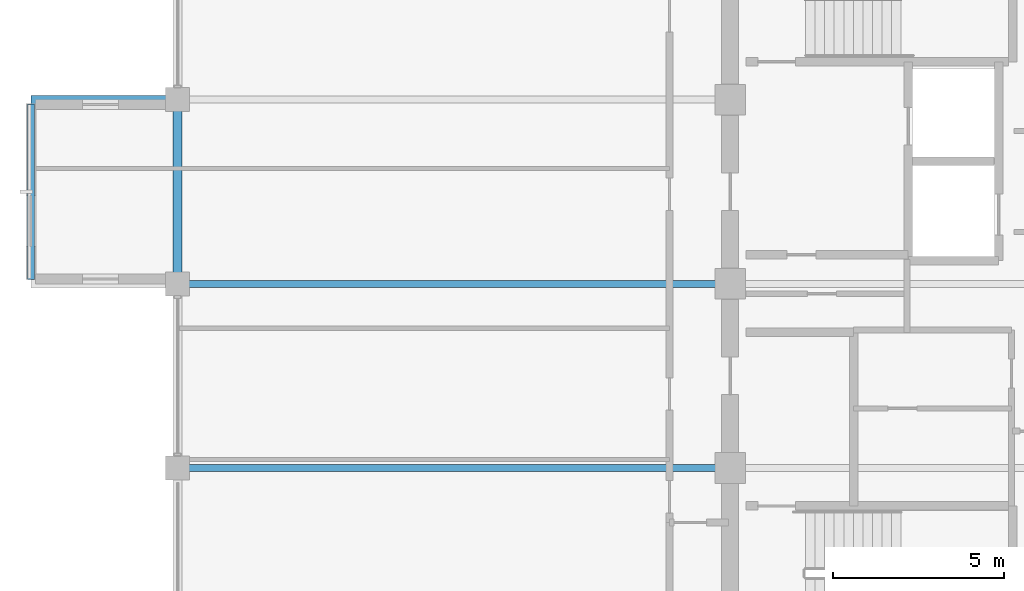
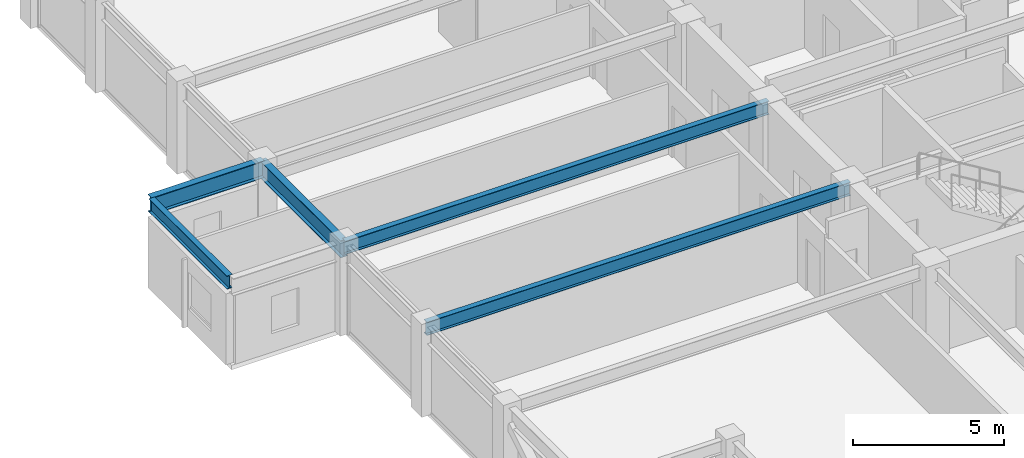
# One storey, part 6 of 31: 5 beams.
"""IFC4 building model written with IfcOpenShell, lengths in metres."""

from ifc_helpers import new_model, si_unit, direction, frame, origin, origin_2d, place, context, subcontext, project, spatial, i_section, extrude, material, material_profile, profile_set, type_object, element, save


model = new_model("IFC4")

# Units and contexts
model_context = context("Model", 3, precision=1e-05, world=origin(), true_north=direction((0.0, 1.0)))
body_context = subcontext(model_context, "Body", "Model", "MODEL_VIEW")
ifc_project = project(units=[si_unit("LENGTHUNIT", "METRE"), si_unit("AREAUNIT", "SQUARE_METRE"), si_unit("VOLUMEUNIT", "CUBIC_METRE"), si_unit("PLANEANGLEUNIT", "RADIAN"), si_unit("MASSUNIT", "GRAM", prefix="KILO")], contexts=[model_context])

# Site, building, storey
site_placement = place(None, origin())
site = spatial("IfcSite", under=ifc_project, at=site_placement, CompositionType="ELEMENT")
building_placement = place(site_placement, origin())
building = spatial("IfcBuilding", under=site, at=building_placement, Name="Surkhivell Harbour Commons", CompositionType="ELEMENT")
storey_placement = place(building_placement, frame((0.0, 0.0, 322.5)))
storey = spatial("IfcBuildingStorey", under=building, at=storey_placement, Name="L84", CompositionType="ELEMENT", Elevation=322.5)

# Beams
ifc_material_1 = material(Name="Steel S460", Category="steel")
ifc_material_profile_1 = material_profile(ifc_material_1, i_section(OverallWidth=0.256103515625, OverallDepth=0.693115234375, WebThickness=0.014404296875, FlangeThickness=0.023681640625, at=origin_2d()), Name="UB686x254x170")
ifc_profile_set_1 = profile_set([ifc_material_profile_1], Name="Steel S460")
beam_type_1 = type_object("IfcBeamType", Name="BM-CNT-686", PredefinedType="BEAM", material=ifc_profile_set_1)
beam_1_placement = place(storey_placement, frame((-27.0, 5.39990234375, 3.223388671875), z_axis=(-1.0, 0.0, 0.0), x_axis=(0.0, -1.0, 0.0)))
element("IfcBeam", 1, at=beam_1_placement, inside=storey, type_object=beam_type_1, Name="L84 Box Cantilever Outrigger (-27.0,5.4)", PredefinedType="BEAM", context=body_context, shape_type="SweptSolid", body=[
    extrude(i_section(OverallWidth=0.256103515625, OverallDepth=0.693115234375, WebThickness=0.014404296875, FlangeThickness=0.023681640625, at=origin_2d()), origin(), (0.0, 0.0, 1.0), 4.300048828125),
])
ifc_material_2 = material(Name="Steel S355", Category="steel")
ifc_material_profile_2 = material_profile(ifc_material_2, i_section(OverallWidth=0.2099609375, OverallDepth=0.537109375, WebThickness=0.0107421875, FlangeThickness=0.017333984375, at=origin_2d()), Name="UB533x210x101")
ifc_profile_set_2 = profile_set([ifc_material_profile_2], Name="Steel S355")
beam_type_2 = type_object("IfcBeamType", Name="BM-GRD-533B", PredefinedType="BEAM", material=ifc_profile_set_2)
for number, where, z_axis, x_axis, name in (
    (2, (-27.0, 0.0, 3.301513671875), (1.0, 0.0, 0.0), (0.0, 1.0, 0.0), "L84 Cantilever Back-Span Girder (-27.0,0.0)"),
    (3, (-27.0, -5.39990234375, 3.301513671875), (1.0, 0.0, 0.0), (0.0, 1.0, 0.0), "L84 Floor Girder (-27.0,-5.4)"),
):
    element("IfcBeam", number, at=place(storey_placement, frame(where, z_axis=z_axis, x_axis=x_axis)), inside=storey, type_object=beam_type_2, Name=name, PredefinedType="BEAM", context=body_context, shape_type="SweptSolid", body=[
        extrude(i_section(OverallWidth=0.2099609375, OverallDepth=0.537109375, WebThickness=0.0107421875, FlangeThickness=0.017333984375, at=origin_2d()), origin(), (0.0, 0.0, 1.0), 16.199951171875),
    ])
beam_2_placement = place(storey_placement, frame((-31.300048828125, 0.1220703125, 3.301513671875), z_axis=(0.0, 1.0, 0.0), x_axis=(-1.0, 0.0, 0.0)))
element("IfcBeam", 4, at=beam_2_placement, inside=storey, type_object=beam_type_2, Name="L84 Box Rim Spandrel (-31.3,0.0)", PredefinedType="BEAM", context=body_context, shape_type="SweptSolid", body=[
    extrude(i_section(OverallWidth=0.2099609375, OverallDepth=0.537109375, WebThickness=0.0107421875, FlangeThickness=0.017333984375, at=origin_2d()), origin(), (0.0, 0.0, 1.0), 5.156005859375),
])
ifc_material_profile_3 = material_profile(ifc_material_2, i_section(OverallWidth=0.256103515625, OverallDepth=0.693115234375, WebThickness=0.014404296875, FlangeThickness=0.023681640625, at=origin_2d()), Name="UB686x254x170")
ifc_profile_set_3 = profile_set([ifc_material_profile_3], Name="Steel S355")
beam_type_3 = type_object("IfcBeamType", Name="BM-SPN-686", PredefinedType="SPANDREL", material=ifc_profile_set_3)
beam_3_placement = place(storey_placement, frame((-27.0, 0.0, 3.223388671875), z_axis=(0.0, 1.0, 0.0), x_axis=(-1.0, 0.0, 0.0)))
element("IfcBeam", 5, at=beam_3_placement, inside=storey, type_object=beam_type_3, Name="L84 Tube Spandrel (-27.0,0.0)", PredefinedType="SPANDREL", context=body_context, shape_type="SweptSolid", body=[
    extrude(i_section(OverallWidth=0.256103515625, OverallDepth=0.693115234375, WebThickness=0.014404296875, FlangeThickness=0.023681640625, at=origin_2d()), origin(), (0.0, 0.0, 1.0), 5.39990234375),
])

save(model, "model.ifc")
